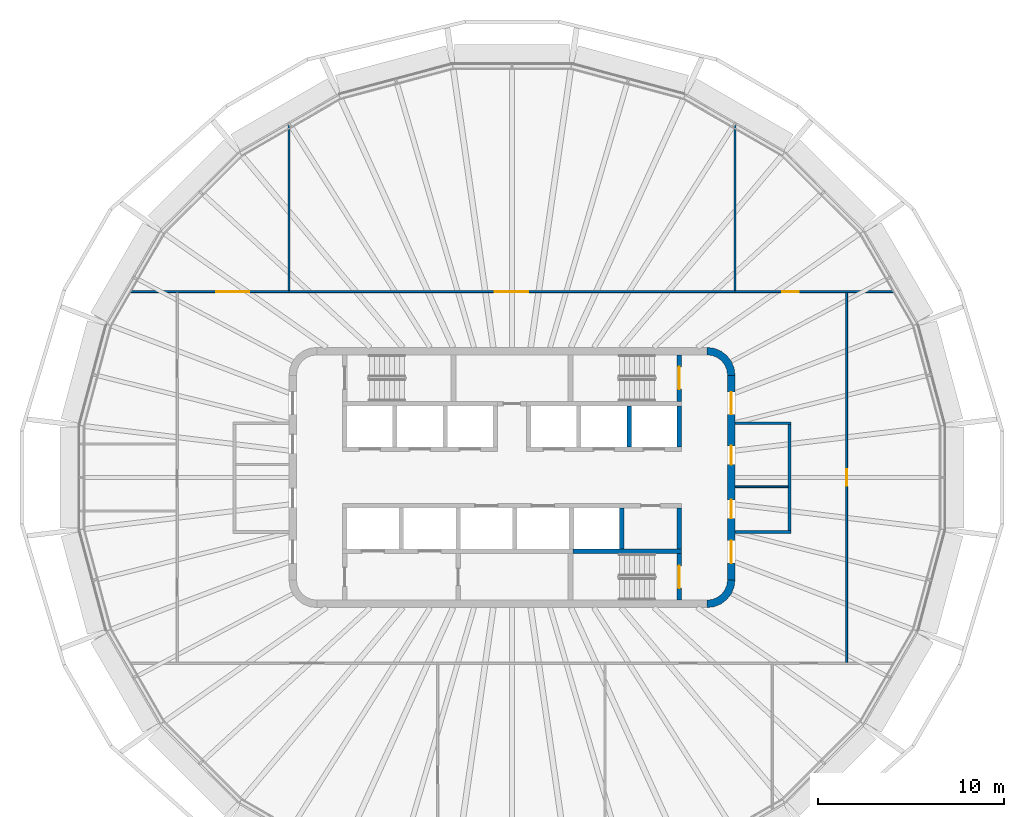
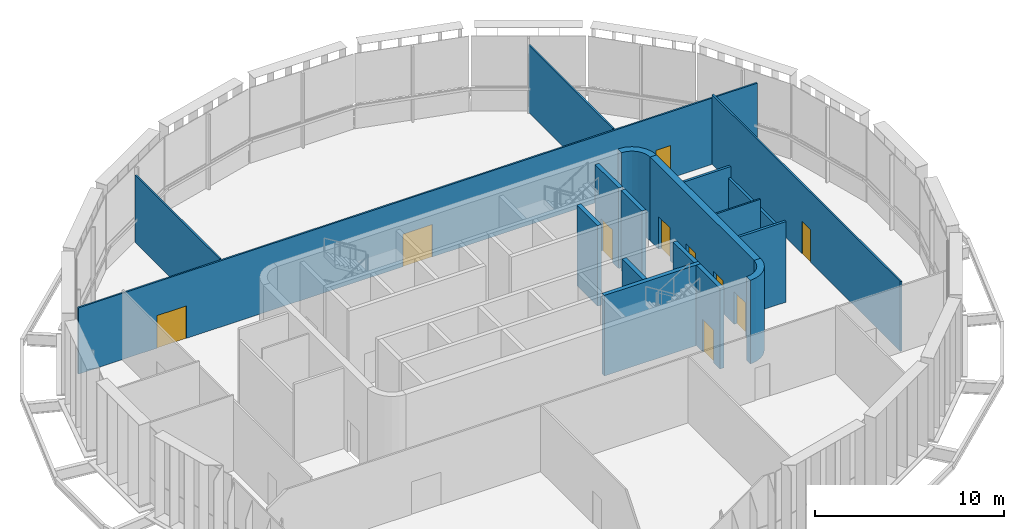
# One storey, part 8 of 16: 18 walls, 10 doors, 10 openings.
"""IFC4 building model written with IfcOpenShell, lengths in metres."""

from ifc_helpers import new_model, si_unit, direction, frame, frame_2d, origin, place, context, subcontext, project, spatial, polyline, rectangle, outline, extrude, material, layer, layer_set, type_object, element, fill, save


model = new_model("IFC4")

# Units and contexts
model_context = context("Model", 3, precision=1e-05, world=origin(), true_north=direction((0.0, 1.0)))
body_context = subcontext(model_context, "Body", "Model", "MODEL_VIEW")
ifc_project = project(units=[si_unit("LENGTHUNIT", "METRE"), si_unit("AREAUNIT", "SQUARE_METRE"), si_unit("VOLUMEUNIT", "CUBIC_METRE"), si_unit("PLANEANGLEUNIT", "RADIAN"), si_unit("MASSUNIT", "GRAM", prefix="KILO")], contexts=[model_context])

# Site, building, storey
site_placement = place(None, origin())
site = spatial("IfcSite", under=ifc_project, at=site_placement, CompositionType="ELEMENT")
building_placement = place(site_placement, origin())
building = spatial("IfcBuilding", under=site, at=building_placement, Name="Sahrelin Media Tower", CompositionType="ELEMENT")
storey_placement = place(building_placement, frame((0.0, 0.0, 324.39990234375)))
storey = spatial("IfcBuildingStorey", under=building, at=storey_placement, Name="L72", CompositionType="ELEMENT", Elevation=324.39990234375)

# Wall, openings, doors
ifc_material_1 = material(Name="Concrete C60/75", Category="concrete")
ifc_layer_1 = layer(ifc_material_1, 0.39990234375)
ifc_layer_set_1 = layer_set([ifc_layer_1], Name="Core wall 400")
wall_type_1 = type_object("IfcWallType", Name="Core wall 400", PredefinedType="SHEAR", material=ifc_layer_set_1)
wall_1_placement = place(storey_placement, frame((11.800048828125, -5.5, 0.0), z_axis=(0.0, 0.0, 1.0), x_axis=(0.0, 1.0, 0.0)))
wall_1 = element("IfcWall", 1, at=wall_1_placement, inside=storey, type_object=wall_type_1, Name="Core wall E L72", PredefinedType="SHEAR", context=body_context, shape_type="SweptSolid", body=[
    extrude(rectangle(XDim=11.0, YDim=0.39990234375, at=frame_2d((5.5, 0.0))), origin(), (0.0, 0.0, 1.0), 5.400146484375),
])
opening_1_placement = place(wall_1_placement, frame((3.300048828125, 0.0, 0.0)))
opening_1 = element("IfcOpeningElement", 2, at=opening_1_placement, cuts=wall_1, Name="Opening L72-D10", PredefinedType="OPENING", context=body_context, shape_type="SweptSolid", body=[
    extrude(rectangle(XDim=1.0, YDim=2.10009765625, at=frame_2d((0.5, 1.050048828125))), frame((0.0, 0.199951171875, 0.0), z_axis=(0.0, -1.0, 0.0), x_axis=(1.0, 0.0, 0.0)), (0.0, 0.0, 1.0), 0.39990234375),
])
opening_2_placement = place(wall_1_placement, frame((6.199951171875, 0.0, 0.0)))
opening_2 = element("IfcOpeningElement", 3, at=opening_2_placement, cuts=wall_1, Name="Opening L72-D11", PredefinedType="OPENING", context=body_context, shape_type="SweptSolid", body=[
    extrude(rectangle(XDim=1.0, YDim=2.10009765625, at=frame_2d((0.5, 1.050048828125))), frame((0.0, 0.199951171875, 0.0), z_axis=(0.0, -1.0, 0.0), x_axis=(1.0, 0.0, 0.0)), (0.0, 0.0, 1.0), 0.39990234375),
])
opening_3_placement = place(wall_1_placement, frame((0.89990234375, 0.0, 0.0)))
opening_3 = element("IfcOpeningElement", 4, at=opening_3_placement, cuts=wall_1, Name="Opening L72-D14", PredefinedType="OPENING", context=body_context, shape_type="SweptSolid", body=[
    extrude(rectangle(XDim=1.199951171875, YDim=2.10009765625, at=frame_2d((0.60009765625, 1.050048828125))), frame((0.0, 0.199951171875, 0.0), z_axis=(0.0, -1.0, 0.0), x_axis=(1.0, 0.0, 0.0)), (0.0, 0.0, 1.0), 0.39990234375),
])
opening_4_placement = place(wall_1_placement, frame((8.89990234375, 0.0, 0.0)))
opening_4 = element("IfcOpeningElement", 5, at=opening_4_placement, cuts=wall_1, Name="Opening L72-D15", PredefinedType="OPENING", context=body_context, shape_type="SweptSolid", body=[
    extrude(rectangle(XDim=1.199951171875, YDim=2.10009765625, at=frame_2d((0.60009765625, 1.050048828125))), frame((0.0, 0.199951171875, 0.0), z_axis=(0.0, -1.0, 0.0), x_axis=(1.0, 0.0, 0.0)), (0.0, 0.0, 1.0), 0.39990234375),
])
ifc_material_2 = material(Name="Steel fire door leaf", Category="steel")
door_type_1 = type_object("IfcDoorType", Name="Fire door 1000 x 2100 EI 60", OperationType="NOTDEFINED", PredefinedType="DOOR", material=ifc_material_2)
door_1_placement = place(opening_1_placement, origin())
door_1 = element("IfcDoor", 6, at=door_1_placement, inside=storey, type_object=door_type_1, Name="Core room door", OperationType="SINGLE_SWING_RIGHT", OverallHeight=2.10009765625, OverallWidth=1.0, PredefinedType="DOOR", context=body_context, shape_type="SweptSolid", body=[
    extrude(rectangle(XDim=1.0, YDim=2.10009765625, at=frame_2d((0.5, 1.050048828125))), frame((0.0, 0.02490234375, 0.0), z_axis=(0.0, -1.0, 0.0), x_axis=(1.0, 0.0, 0.0)), (0.0, 0.0, 1.0), 0.050048828125),
])
fill(opening_1, door_1)
door_2_placement = place(opening_2_placement, origin())
door_2 = element("IfcDoor", 7, at=door_2_placement, inside=storey, type_object=door_type_1, Name="Core room door", OperationType="SINGLE_SWING_RIGHT", OverallHeight=2.10009765625, OverallWidth=1.0, PredefinedType="DOOR", context=body_context, shape_type="SweptSolid", body=[
    extrude(rectangle(XDim=1.0, YDim=2.10009765625, at=frame_2d((0.5, 1.050048828125))), frame((0.0, 0.02490234375, 0.0), z_axis=(0.0, -1.0, 0.0), x_axis=(1.0, 0.0, 0.0)), (0.0, 0.0, 1.0), 0.050048828125),
])
fill(opening_2, door_2)
door_type_2 = type_object("IfcDoorType", Name="Lobby door 1200 x 2100 EI 60", OperationType="NOTDEFINED", PredefinedType="DOOR", material=ifc_material_2)
door_3_placement = place(opening_3_placement, origin())
door_3 = element("IfcDoor", 8, at=door_3_placement, inside=storey, type_object=door_type_2, Name="Lobby door", OperationType="SINGLE_SWING_LEFT", OverallHeight=2.10009765625, OverallWidth=1.199951171875, PredefinedType="DOOR", context=body_context, shape_type="SweptSolid", body=[
    extrude(rectangle(XDim=1.199951171875, YDim=2.10009765625, at=frame_2d((0.60009765625, 1.050048828125))), frame((0.0, 0.02490234375, 0.0), z_axis=(0.0, -1.0, 0.0), x_axis=(1.0, 0.0, 0.0)), (0.0, 0.0, 1.0), 0.050048828125),
])
fill(opening_3, door_3)
door_4_placement = place(opening_4_placement, origin())
door_4 = element("IfcDoor", 9, at=door_4_placement, inside=storey, type_object=door_type_2, Name="Lobby door", OperationType="SINGLE_SWING_LEFT", OverallHeight=2.10009765625, OverallWidth=1.199951171875, PredefinedType="DOOR", context=body_context, shape_type="SweptSolid", body=[
    extrude(rectangle(XDim=1.199951171875, YDim=2.10009765625, at=frame_2d((0.60009765625, 1.050048828125))), frame((0.0, 0.02490234375, 0.0), z_axis=(0.0, -1.0, 0.0), x_axis=(1.0, 0.0, 0.0)), (0.0, 0.0, 1.0), 0.050048828125),
])
fill(opening_4, door_4)

# Walls
placement = place(storey_placement, origin())
element("IfcWall", 10, at=placement, inside=storey, type_object=wall_type_1, Name="Core wall corner NE L72", PredefinedType="SHEAR", context=body_context, shape_type="SweptSolid", body=[
    extrude(outline(polyline([(10.5, 7.0), (10.5, 6.596435546875), (10.78369140625, 6.55908203125), (11.04833984375, 6.44970703125), (11.275390625, 6.275390625), (11.44970703125, 6.04833984375), (11.55908203125, 5.78369140625), (11.596435546875, 5.5), (12.0, 5.5), (11.948974609375, 5.88818359375), (11.799072265625, 6.25), (11.560791015625, 6.560791015625), (11.25, 6.799072265625), (10.88818359375, 6.948974609375), (10.5, 7.0)])), origin(), (0.0, 0.0, 1.0), 5.400146484375),
])
element("IfcWall", 11, at=placement, inside=storey, type_object=wall_type_1, Name="Core wall corner SE L72", PredefinedType="SHEAR", context=body_context, shape_type="SweptSolid", body=[
    extrude(outline(polyline([(12.0, -5.5), (11.596435546875, -5.5), (11.55908203125, -5.78369140625), (11.44970703125, -6.04833984375), (11.275390625, -6.275390625), (11.04833984375, -6.44970703125), (10.78369140625, -6.55908203125), (10.5, -6.596435546875), (10.5, -7.0), (10.88818359375, -6.948974609375), (11.25, -6.799072265625), (11.560791015625, -6.560791015625), (11.799072265625, -6.25), (11.948974609375, -5.88818359375), (12.0, -5.5)])), origin(), (0.0, 0.0, 1.0), 5.400146484375),
])
ifc_material_3 = material(Name="Fire-rated gypsum board partition")
ifc_layer_2 = layer(ifc_material_3, 0.10009765625)
ifc_layer_set_2 = layer_set([ifc_layer_2], Name="Fire-rated partition 100")
wall_type_2 = type_object("IfcWallType", Name="Fire-rated partition 100", PredefinedType="PARTITIONING", material=ifc_layer_set_2)
wall_4_placement = place(storey_placement, frame((12.0, -0.5, 0.0), z_axis=(0.0, 0.0, 1.0), x_axis=(1.0, 0.0, 0.0)))
element("IfcWall", 12, at=wall_4_placement, inside=storey, type_object=wall_type_2, Name="Core room partition", PredefinedType="PARTITIONING", context=body_context, shape_type="SweptSolid", body=[
    extrude(rectangle(XDim=2.85009765625, YDim=0.10009765625, at=frame_2d((1.425048828125, 0.0))), origin(), (0.0, 0.0, 1.0), 5.2001953125),
])
ifc_layer_3 = layer(ifc_material_3, 0.14990234375)
ifc_layer_set_3 = layer_set([ifc_layer_3], Name="Fire-rated partition 150")
wall_type_3 = type_object("IfcWallType", Name="Fire-rated partition 150", PredefinedType="PARTITIONING", material=ifc_layer_set_3)
wall_5_placement = place(storey_placement, frame((14.925048828125, -2.85009765625, 0.0), z_axis=(0.0, 0.0, 1.0), x_axis=(0.0, 1.0, 0.0)))
element("IfcWall", 13, at=wall_5_placement, inside=storey, type_object=wall_type_3, Name="Core room fire partition", PredefinedType="PARTITIONING", context=body_context, shape_type="SweptSolid", body=[
    extrude(rectangle(XDim=5.7001953125, YDim=0.14990234375, at=frame_2d((2.85009765625, 0.0))), origin(), (0.0, 0.0, 1.0), 4.502197265625),
])
for number, where, z_axis, x_axis, name in (
    (14, (12.0, 2.925048828125, 0.0), (0.0, 0.0, 1.0), (1.0, 0.0, 0.0), "Core room fire partition"),
    (15, (12.0, -2.925048828125, 0.0), (0.0, 0.0, 1.0), (1.0, 0.0, 0.0), "Core room fire partition"),
):
    element("IfcWall", number, at=place(storey_placement, frame(where, z_axis=z_axis, x_axis=x_axis)), inside=storey, type_object=wall_type_3, Name=name, PredefinedType="PARTITIONING", context=body_context, shape_type="SweptSolid", body=[
        extrude(rectangle(XDim=3.0, YDim=0.14990234375, at=frame_2d((1.5, 0.0))), origin(), (0.0, 0.0, 1.0), 5.2001953125),
    ])
ifc_layer_4 = layer(ifc_material_1, 0.25)
ifc_layer_set_4 = layer_set([ifc_layer_4], Name="Lift shaft wall 250")
wall_type_4 = type_object("IfcWallType", Name="Lift shaft wall 250", PredefinedType="SOLIDWALL", material=ifc_layer_set_4)
for number, where, z_axis, x_axis, name in (
    (16, (9.0, 1.64990234375, 0.0), (0.0, 0.0, 1.0), (0.0, 1.0, 0.0), "Lift shaft wall"),
    (17, (6.300048828125, 1.64990234375, 0.0), (0.0, 0.0, 1.0), (0.0, 1.0, 0.0), "Lift shaft wall"),
):
    element("IfcWall", number, at=place(storey_placement, frame(where, z_axis=z_axis, x_axis=x_axis)), inside=storey, type_object=wall_type_4, Name=name, PredefinedType="SOLIDWALL", context=body_context, shape_type="SweptSolid", body=[
        extrude(rectangle(XDim=2.2001953125, YDim=0.25, at=frame_2d((1.10009765625, 0.0))), origin(), (0.0, 0.0, 1.0), 5.2001953125),
    ])
wall_6_placement = place(storey_placement, frame((3.27490234375, -3.97509765625, 0.0), z_axis=(0.0, 0.0, 1.0), x_axis=(1.0, 0.0, 0.0)))
element("IfcWall", 18, at=wall_6_placement, inside=storey, type_object=wall_type_4, Name="Lift shaft wall", PredefinedType="SOLIDWALL", context=body_context, shape_type="SweptSolid", body=[
    extrude(rectangle(XDim=5.85009765625, YDim=0.25, at=frame_2d((2.925048828125, 0.0))), origin(), (0.0, 0.0, 1.0), 5.2001953125),
])
for number, where, z_axis, x_axis, name in (
    (19, (5.89990234375, -3.85009765625, 0.0), (0.0, 0.0, 1.0), (0.0, 1.0, 0.0), "Lift shaft wall"),
    (20, (9.0, -3.85009765625, 0.0), (0.0, 0.0, 1.0), (0.0, 1.0, 0.0), "Lift shaft wall"),
):
    element("IfcWall", number, at=place(storey_placement, frame(where, z_axis=z_axis, x_axis=x_axis)), inside=storey, type_object=wall_type_4, Name=name, PredefinedType="SOLIDWALL", context=body_context, shape_type="SweptSolid", body=[
        extrude(rectangle(XDim=2.2001953125, YDim=0.25, at=frame_2d((1.10009765625, 0.0))), origin(), (0.0, 0.0, 1.0), 5.2001953125),
    ])

# Wall, openings, doors
ifc_material_4 = material(Name="Gypsum board partition")
ifc_layer_5 = layer(ifc_material_4, 0.10009765625)
ifc_layer_set_5 = layer_set([ifc_layer_5], Name="Partition 100")
wall_type_5 = type_object("IfcWallType", Name="Partition 100", PredefinedType="PARTITIONING", material=ifc_layer_set_5)
wall_7_placement = place(storey_placement, frame((-20.721923828125, 10.0, 0.0), z_axis=(0.0, 0.0, 1.0), x_axis=(1.0, 0.0, 0.0)))
wall_7 = element("IfcWall", 21, at=wall_7_placement, inside=storey, type_object=wall_type_5, Name="Wall", PredefinedType="PARTITIONING", context=body_context, shape_type="SweptSolid", body=[
    extrude(rectangle(XDim=41.44384765625, YDim=0.10009765625, at=frame_2d((20.721923828125, 0.0))), origin(), (0.0, 0.0, 1.0), 4.277099609375),
])
opening_5_placement = place(wall_7_placement, frame((4.800048828125, 0.0, 0.0)))
opening_5 = element("IfcOpeningElement", 22, at=opening_5_placement, cuts=wall_7, Name="Opening L72-D16", PredefinedType="OPENING", context=body_context, shape_type="SweptSolid", body=[
    extrude(rectangle(XDim=1.800048828125, YDim=2.10009765625, at=frame_2d((0.89990234375, 1.050048828125))), frame((0.0, 0.050048828125, 0.0), z_axis=(0.0, -1.0, 0.0), x_axis=(1.0, 0.0, 0.0)), (0.0, 0.0, 1.0), 0.10009765625),
])
opening_6_placement = place(wall_7_placement, frame((19.800048828125, 0.0, 0.0)))
opening_6 = element("IfcOpeningElement", 23, at=opening_6_placement, cuts=wall_7, Name="Opening L72-D17", PredefinedType="OPENING", context=body_context, shape_type="SweptSolid", body=[
    extrude(rectangle(XDim=1.800048828125, YDim=2.10009765625, at=frame_2d((0.89990234375, 1.050048828125))), frame((0.0, 0.050048828125, 0.0), z_axis=(0.0, -1.0, 0.0), x_axis=(1.0, 0.0, 0.0)), (0.0, 0.0, 1.0), 0.10009765625),
])
opening_7_placement = place(wall_7_placement, frame((35.25, 0.0, 0.0)))
opening_7 = element("IfcOpeningElement", 24, at=opening_7_placement, cuts=wall_7, Name="Opening L72-D18", PredefinedType="OPENING", context=body_context, shape_type="SweptSolid", body=[
    extrude(rectangle(XDim=0.89990234375, YDim=2.10009765625, at=frame_2d((0.449951171875, 1.050048828125))), frame((0.0, 0.050048828125, 0.0), z_axis=(0.0, -1.0, 0.0), x_axis=(1.0, 0.0, 0.0)), (0.0, 0.0, 1.0), 0.10009765625),
])
ifc_material_5 = material(Name="Timber door leaf", Category="wood")
door_type_3 = type_object("IfcDoorType", Name="Double door 1800 x 2100", OperationType="DOUBLE_DOOR_SINGLE_SWING", PredefinedType="DOOR", material=ifc_material_5)
door_5_placement = place(opening_5_placement, origin())
door_5 = element("IfcDoor", 25, at=door_5_placement, inside=storey, type_object=door_type_3, Name="Double door", OperationType="DOUBLE_DOOR_SINGLE_SWING", OverallHeight=2.10009765625, OverallWidth=1.800048828125, PredefinedType="DOOR", context=body_context, shape_type="SweptSolid", body=[
    extrude(rectangle(XDim=1.800048828125, YDim=2.10009765625, at=frame_2d((0.89990234375, 1.050048828125))), frame((0.0, 0.02490234375, 0.0), z_axis=(0.0, -1.0, 0.0), x_axis=(1.0, 0.0, 0.0)), (0.0, 0.0, 1.0), 0.050048828125),
])
fill(opening_5, door_5)
door_6_placement = place(opening_6_placement, origin())
door_6 = element("IfcDoor", 26, at=door_6_placement, inside=storey, type_object=door_type_3, Name="Double door", OperationType="DOUBLE_DOOR_SINGLE_SWING", OverallHeight=2.10009765625, OverallWidth=1.800048828125, PredefinedType="DOOR", context=body_context, shape_type="SweptSolid", body=[
    extrude(rectangle(XDim=1.800048828125, YDim=2.10009765625, at=frame_2d((0.89990234375, 1.050048828125))), frame((0.0, 0.02490234375, 0.0), z_axis=(0.0, -1.0, 0.0), x_axis=(1.0, 0.0, 0.0)), (0.0, 0.0, 1.0), 0.050048828125),
])
fill(opening_6, door_6)
door_type_4 = type_object("IfcDoorType", Name="Single door 900 x 2100", OperationType="NOTDEFINED", PredefinedType="DOOR", material=ifc_material_5)
door_7_placement = place(opening_7_placement, origin())
door_7 = element("IfcDoor", 27, at=door_7_placement, inside=storey, type_object=door_type_4, Name="Single door", OperationType="SINGLE_SWING_RIGHT", OverallHeight=2.10009765625, OverallWidth=0.89990234375, PredefinedType="DOOR", context=body_context, shape_type="SweptSolid", body=[
    extrude(rectangle(XDim=0.89990234375, YDim=2.10009765625, at=frame_2d((0.449951171875, 1.050048828125))), frame((0.0, 0.02490234375, 0.0), z_axis=(0.0, -1.0, 0.0), x_axis=(1.0, 0.0, 0.0)), (0.0, 0.0, 1.0), 0.050048828125),
])
fill(opening_7, door_7)

# Wall, opening, door
wall_8_placement = place(storey_placement, frame((18.0, -9.949951171875, 0.0), z_axis=(0.0, 0.0, 1.0), x_axis=(0.0, 1.0, 0.0)))
wall_8 = element("IfcWall", 28, at=wall_8_placement, inside=storey, type_object=wall_type_5, Name="Wall", PredefinedType="PARTITIONING", context=body_context, shape_type="SweptSolid", body=[
    extrude(rectangle(XDim=19.89990234375, YDim=0.10009765625, at=frame_2d((9.949951171875, 0.0))), origin(), (0.0, 0.0, 1.0), 4.502197265625),
])
opening_8_placement = place(wall_8_placement, frame((9.5, 0.0, 0.0)))
opening_8 = element("IfcOpeningElement", 29, at=opening_8_placement, cuts=wall_8, Name="Opening L72-D23", PredefinedType="OPENING", context=body_context, shape_type="SweptSolid", body=[
    extrude(rectangle(XDim=0.89990234375, YDim=2.10009765625, at=frame_2d((0.449951171875, 1.050048828125))), frame((0.0, 0.050048828125, 0.0), z_axis=(0.0, -1.0, 0.0), x_axis=(1.0, 0.0, 0.0)), (0.0, 0.0, 1.0), 0.10009765625),
])
door_8_placement = place(opening_8_placement, origin())
door_8 = element("IfcDoor", 30, at=door_8_placement, inside=storey, type_object=door_type_4, Name="Single door", OperationType="SINGLE_SWING_RIGHT", OverallHeight=2.10009765625, OverallWidth=0.89990234375, PredefinedType="DOOR", context=body_context, shape_type="SweptSolid", body=[
    extrude(rectangle(XDim=0.89990234375, YDim=2.10009765625, at=frame_2d((0.449951171875, 1.050048828125))), frame((0.0, 0.02490234375, 0.0), z_axis=(0.0, -1.0, 0.0), x_axis=(1.0, 0.0, 0.0)), (0.0, 0.0, 1.0), 0.050048828125),
])
fill(opening_8, door_8)

# Walls
for number, where, z_axis, x_axis, name in (
    (31, (-12.0, 10.050048828125, 0.0), (0.0, 0.0, 1.0), (0.0, 1.0, 0.0), "Wall"),
    (32, (12.0, 10.050048828125, 0.0), (0.0, 0.0, 1.0), (0.0, 1.0, 0.0), "Wall"),
):
    element("IfcWall", number, at=place(storey_placement, frame(where, z_axis=z_axis, x_axis=x_axis)), inside=storey, type_object=wall_type_5, Name=name, PredefinedType="PARTITIONING", context=body_context, shape_type="SweptSolid", body=[
        extrude(rectangle(XDim=8.922607421875, YDim=0.10009765625, at=frame_2d((4.46142578125, 0.0))), origin(), (0.0, 0.0, 1.0), 4.34521484375),
    ])

# Wall, opening, door
ifc_layer_6 = layer(ifc_material_1, 0.25)
ifc_layer_set_6 = layer_set([ifc_layer_6], Name="Stair enclosure wall 250")
wall_type_6 = type_object("IfcWallType", Name="Stair enclosure wall 250", PredefinedType="SOLIDWALL", material=ifc_layer_set_6)
wall_9_placement = place(storey_placement, frame((9.0, 4.10009765625, 0.0), z_axis=(0.0, 0.0, 1.0), x_axis=(0.0, 1.0, 0.0)))
wall_9 = element("IfcWall", 33, at=wall_9_placement, inside=storey, type_object=wall_type_6, Name="Stair enclosure wall", PredefinedType="SOLIDWALL", context=body_context, shape_type="SweptSolid", body=[
    extrude(rectangle(XDim=2.5, YDim=0.25, at=frame_2d((1.25, 0.0))), origin(), (0.0, 0.0, 1.0), 5.2001953125),
])
opening_9_placement = place(wall_9_placement, frame((0.64990234375, 0.0, 0.0)))
opening_9 = element("IfcOpeningElement", 34, at=opening_9_placement, cuts=wall_9, Name="Opening L72-D02", PredefinedType="OPENING", context=body_context, shape_type="SweptSolid", body=[
    extrude(rectangle(XDim=1.199951171875, YDim=2.10009765625, at=frame_2d((0.60009765625, 1.050048828125))), frame((0.0, 0.125, 0.0), z_axis=(0.0, -1.0, 0.0), x_axis=(1.0, 0.0, 0.0)), (0.0, 0.0, 1.0), 0.25),
])
door_type_5 = type_object("IfcDoorType", Name="Stair door 1200 x 2100 EI 120", OperationType="NOTDEFINED", PredefinedType="DOOR", material=ifc_material_2)
door_9_placement = place(opening_9_placement, origin())
door_9 = element("IfcDoor", 35, at=door_9_placement, inside=storey, type_object=door_type_5, Name="Stair door ST3", OperationType="SINGLE_SWING_LEFT", OverallHeight=2.10009765625, OverallWidth=1.199951171875, PredefinedType="DOOR", context=body_context, shape_type="SweptSolid", body=[
    extrude(rectangle(XDim=1.199951171875, YDim=2.10009765625, at=frame_2d((0.60009765625, 1.050048828125))), frame((0.0, 0.02490234375, 0.0), z_axis=(0.0, -1.0, 0.0), x_axis=(1.0, 0.0, 0.0)), (0.0, 0.0, 1.0), 0.050048828125),
])
fill(opening_9, door_9)

wall_10_placement = place(storey_placement, frame((9.0, -6.60009765625, 0.0), z_axis=(0.0, 0.0, 1.0), x_axis=(0.0, 1.0, 0.0)))
wall_10 = element("IfcWall", 36, at=wall_10_placement, inside=storey, type_object=wall_type_6, Name="Stair enclosure wall", PredefinedType="SOLIDWALL", context=body_context, shape_type="SweptSolid", body=[
    extrude(rectangle(XDim=2.5, YDim=0.25, at=frame_2d((1.25, 0.0))), origin(), (0.0, 0.0, 1.0), 5.2001953125),
])
opening_10_placement = place(wall_10_placement, frame((0.64990234375, 0.0, 0.0)))
opening_10 = element("IfcOpeningElement", 37, at=opening_10_placement, cuts=wall_10, Name="Opening L72-D03", PredefinedType="OPENING", context=body_context, shape_type="SweptSolid", body=[
    extrude(rectangle(XDim=1.199951171875, YDim=2.10009765625, at=frame_2d((0.60009765625, 1.050048828125))), frame((0.0, 0.125, 0.0), z_axis=(0.0, -1.0, 0.0), x_axis=(1.0, 0.0, 0.0)), (0.0, 0.0, 1.0), 0.25),
])
door_10_placement = place(opening_10_placement, origin())
door_10 = element("IfcDoor", 38, at=door_10_placement, inside=storey, type_object=door_type_5, Name="Stair door ST2", OperationType="SINGLE_SWING_LEFT", OverallHeight=2.10009765625, OverallWidth=1.199951171875, PredefinedType="DOOR", context=body_context, shape_type="SweptSolid", body=[
    extrude(rectangle(XDim=1.199951171875, YDim=2.10009765625, at=frame_2d((0.60009765625, 1.050048828125))), frame((0.0, 0.02490234375, 0.0), z_axis=(0.0, -1.0, 0.0), x_axis=(1.0, 0.0, 0.0)), (0.0, 0.0, 1.0), 0.050048828125),
])
fill(opening_10, door_10)

save(model, "model.ifc")
